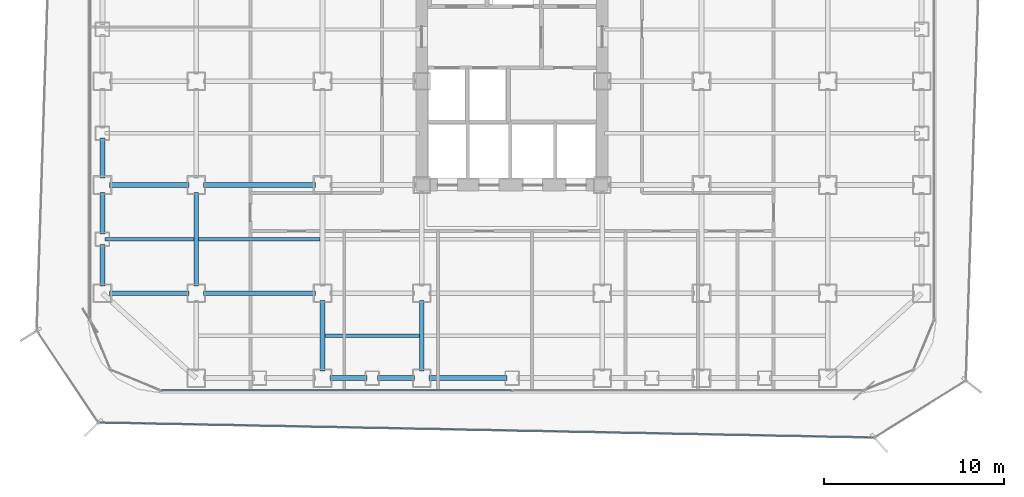
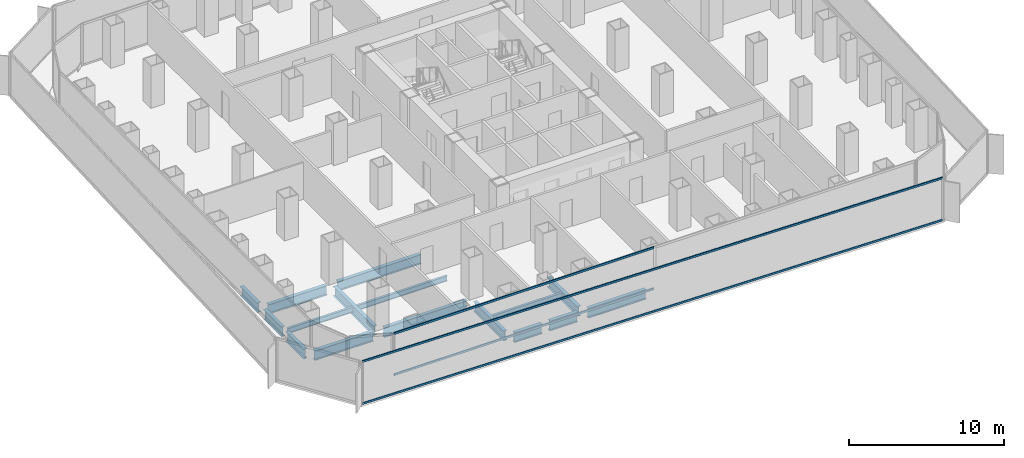
# One storey, part 3 of 22: 16 beams, 4 members, 2 elements without a shape of their own.
"""IFC4 building model written with IfcOpenShell, lengths in metres."""

from ifc_helpers import new_model, si_unit, direction, frame, origin, origin_2d, place, context, subcontext, project, spatial, hollow_rectangle, i_section, extrude, source, transform, mapped, material, layer, layer_set, material_profile, profile_set, type_object, element, aggregate, save


model = new_model("IFC4")

# Units and contexts
model_context = context("Model", 3, precision=1e-05, world=origin(), true_north=direction((0.0, 1.0)))
body_context = subcontext(model_context, "Body", "Model", "MODEL_VIEW")
ifc_project = project(units=[si_unit("LENGTHUNIT", "METRE"), si_unit("AREAUNIT", "SQUARE_METRE"), si_unit("VOLUMEUNIT", "CUBIC_METRE"), si_unit("PLANEANGLEUNIT", "RADIAN"), si_unit("MASSUNIT", "GRAM", prefix="KILO")], contexts=[model_context])

# Site, building, storey
site_placement = place(None, origin())
site = spatial("IfcSite", under=ifc_project, at=site_placement, CompositionType="ELEMENT")
building_placement = place(site_placement, origin())
building = spatial("IfcBuilding", under=site, at=building_placement, Name="Kolveth Station Tower", CompositionType="ELEMENT")
storey_placement = place(building_placement, frame((0.0, 0.0, 51.300048828125)))
storey = spatial("IfcBuildingStorey", under=building, at=storey_placement, Name="L13", CompositionType="ELEMENT", Elevation=51.300048828125)

# Beams
ifc_material_1 = material(Name="Steel S355", Category="steel")
ifc_material_profile_1 = material_profile(ifc_material_1, i_section(OverallWidth=0.26904296875, OverallDepth=0.77490234375, WebThickness=0.01708984375, FlangeThickness=0.0283203125, at=origin_2d()), Name="W760x220")
ifc_profile_set_1 = profile_set([ifc_material_profile_1], Name="Steel S355")
beam_type_1 = type_object("IfcBeamType", Name="Beam_SP1", PredefinedType="SPANDREL", material=ifc_profile_set_1)
shared_shape_1 = source(origin(), body_context, "Body", "SweptSolid", [
    extrude(i_section(OverallWidth=0.26904296875, OverallDepth=0.77490234375, WebThickness=0.01708984375, FlangeThickness=0.0283203125, at=origin_2d()), origin(), (0.0, 0.0, 1.0), 2.070068359375),
])
for number, where, z_axis, x_axis, name in (
    (1, (13.39990234375, 0.800048828125, -0.66748046875), (1.0, 0.0, 0.0), (0.0, 1.0, 0.0), "L13 Perimeter Spandrel BM-L13-PS-3"),
    (2, (16.030029296875, 0.800048828125, -0.66748046875), (1.0, 0.0, 0.0), (0.0, 1.0, 0.0), "L13 Perimeter Spandrel BM-L13-PS-4"),
):
    element("IfcBeam", number, at=place(storey_placement, frame(where, z_axis=z_axis, x_axis=x_axis)), inside=storey, type_object=beam_type_1, Name=name, PredefinedType="SPANDREL", context=body_context, shape_type="MappedRepresentation", body=[
        mapped(shared_shape_1, transform((0.0, 0.0, 0.0), x_axis=(1.0, 0.0, 0.0), y_axis=(0.0, 1.0, 0.0), z_axis=(0.0, 0.0, 1.0), scale=1.0)),
    ])
shared_shape_2 = source(origin(), body_context, "Body", "SweptSolid", [
    extrude(i_section(OverallWidth=0.26904296875, OverallDepth=0.77490234375, WebThickness=0.01708984375, FlangeThickness=0.0283203125, at=origin_2d()), origin(), (0.0, 0.0, 1.0), 4.320068359375),
])
beam_1_placement = place(storey_placement, frame((18.89990234375, 0.800048828125, -0.66748046875), z_axis=(1.0, 0.0, 0.0), x_axis=(0.0, 1.0, 0.0)))
element("IfcBeam", 3, at=beam_1_placement, inside=storey, type_object=beam_type_1, Name="L13 Perimeter Spandrel BM-L13-PS-5", PredefinedType="SPANDREL", context=body_context, shape_type="MappedRepresentation", body=[
    mapped(shared_shape_2, transform((0.0, 0.0, 0.0), x_axis=(1.0, 0.0, 0.0), y_axis=(0.0, 1.0, 0.0), z_axis=(0.0, 0.0, 1.0), scale=1.0)),
])
shared_shape_3 = source(origin(), body_context, "Body", "SweptSolid", [
    extrude(i_section(OverallWidth=0.26904296875, OverallDepth=0.77490234375, WebThickness=0.01708984375, FlangeThickness=0.0283203125, at=origin_2d()), origin(), (0.0, 0.0, 1.0), 2.320068359375),
])
for number, where, z_axis, x_axis, name in (
    (4, (0.800048828125, 5.89990234375, -0.66748046875), (0.0, 1.0, 0.0), (-1.0, 0.0, 0.0), "L13 Perimeter Spandrel BM-L13-PW-1"),
    (5, (0.800048828125, 8.780029296875, -0.66748046875), (0.0, 1.0, 0.0), (-1.0, 0.0, 0.0), "L13 Perimeter Spandrel BM-L13-PW-2"),
):
    element("IfcBeam", number, at=place(storey_placement, frame(where, z_axis=z_axis, x_axis=x_axis)), inside=storey, type_object=beam_type_1, Name=name, PredefinedType="SPANDREL", context=body_context, shape_type="MappedRepresentation", body=[
        mapped(shared_shape_3, transform((0.0, 0.0, 0.0), x_axis=(1.0, 0.0, 0.0), y_axis=(0.0, 1.0, 0.0), z_axis=(0.0, 0.0, 1.0), scale=1.0)),
    ])
shared_shape_4 = source(origin(), body_context, "Body", "SweptSolid", [
    extrude(i_section(OverallWidth=0.26904296875, OverallDepth=0.77490234375, WebThickness=0.01708984375, FlangeThickness=0.0283203125, at=origin_2d()), origin(), (0.0, 0.0, 1.0), 2.2001953125),
])
beam_2_placement = place(storey_placement, frame((0.800048828125, 11.89990234375, -0.66748046875), z_axis=(0.0, 1.0, 0.0), x_axis=(-1.0, 0.0, 0.0)))
element("IfcBeam", 6, at=beam_2_placement, inside=storey, type_object=beam_type_1, Name="L13 Perimeter Spandrel BM-L13-PW-3", PredefinedType="SPANDREL", context=body_context, shape_type="MappedRepresentation", body=[
    mapped(shared_shape_4, transform((0.0, 0.0, 0.0), x_axis=(1.0, 0.0, 0.0), y_axis=(0.0, 1.0, 0.0), z_axis=(0.0, 0.0, 1.0), scale=1.0)),
])
ifc_material_profile_2 = material_profile(ifc_material_1, i_section(OverallWidth=0.26708984375, OverallDepth=0.76611328125, WebThickness=0.014892578125, FlangeThickness=0.023681640625, at=origin_2d()), Name="W760x185")
ifc_profile_set_2 = profile_set([ifc_material_profile_2], Name="Steel S355")
beam_type_2 = type_object("IfcBeamType", Name="Beam_B3", PredefinedType="BEAM", material=ifc_profile_set_2)
shared_shape_5 = source(origin(), body_context, "Body", "SweptSolid", [
    extrude(i_section(OverallWidth=0.26708984375, OverallDepth=0.76611328125, WebThickness=0.014892578125, FlangeThickness=0.023681640625, at=origin_2d()), origin(), (0.0, 0.0, 1.0), 4.400146484375),
])
for number, where, z_axis, x_axis, name in (
    (7, (1.199951171875, 5.5, -0.6630859375), (1.0, 0.0, 0.0), (0.0, 1.0, 0.0), "L13 Primary Girder BM-L13-GY55-1"),
    (8, (1.199951171875, 11.5, -0.6630859375), (1.0, 0.0, 0.0), (0.0, 1.0, 0.0), "L13 Primary Girder BM-L13-GY115-1"),
):
    element("IfcBeam", number, at=place(storey_placement, frame(where, z_axis=z_axis, x_axis=x_axis)), inside=storey, type_object=beam_type_2, Name=name, PredefinedType="BEAM", context=body_context, shape_type="MappedRepresentation", body=[
        mapped(shared_shape_5, transform((0.0, 0.0, 0.0), x_axis=(1.0, 0.0, 0.0), y_axis=(0.0, 1.0, 0.0), z_axis=(0.0, 0.0, 1.0), scale=1.0)),
    ])
shared_shape_6 = source(origin(), body_context, "Body", "SweptSolid", [
    extrude(i_section(OverallWidth=0.26708984375, OverallDepth=0.76611328125, WebThickness=0.014892578125, FlangeThickness=0.023681640625, at=origin_2d()), origin(), (0.0, 0.0, 1.0), 6.2001953125),
])
for number, where, z_axis, x_axis, name in (
    (9, (6.39990234375, 5.5, -0.6630859375), (1.0, 0.0, 0.0), (0.0, 1.0, 0.0), "L13 Primary Girder BM-L13-GY55-2"),
    (10, (6.39990234375, 11.5, -0.6630859375), (1.0, 0.0, 0.0), (0.0, 1.0, 0.0), "L13 Primary Girder BM-L13-GY115-2"),
):
    element("IfcBeam", number, at=place(storey_placement, frame(where, z_axis=z_axis, x_axis=x_axis)), inside=storey, type_object=beam_type_2, Name=name, PredefinedType="BEAM", context=body_context, shape_type="MappedRepresentation", body=[
        mapped(shared_shape_6, transform((0.0, 0.0, 0.0), x_axis=(1.0, 0.0, 0.0), y_axis=(0.0, 1.0, 0.0), z_axis=(0.0, 0.0, 1.0), scale=1.0)),
    ])
shared_shape_7 = source(origin(), body_context, "Body", "SweptSolid", [
    extrude(i_section(OverallWidth=0.26708984375, OverallDepth=0.76611328125, WebThickness=0.014892578125, FlangeThickness=0.023681640625, at=origin_2d()), origin(), (0.0, 0.0, 1.0), 3.900146484375),
])
for number, where, z_axis, x_axis, name in (
    (11, (13.0, 1.199951171875, -0.6630859375), (0.0, 1.0, 0.0), (-1.0, 0.0, 0.0), "L13 Primary Girder BM-L13-GX130-1"),
    (12, (18.5, 1.199951171875, -0.6630859375), (0.0, 1.0, 0.0), (-1.0, 0.0, 0.0), "L13 Primary Girder BM-L13-GX185-1"),
):
    element("IfcBeam", number, at=place(storey_placement, frame(where, z_axis=z_axis, x_axis=x_axis)), inside=storey, type_object=beam_type_2, Name=name, PredefinedType="BEAM", context=body_context, shape_type="MappedRepresentation", body=[
        mapped(shared_shape_7, transform((0.0, 0.0, 0.0), x_axis=(1.0, 0.0, 0.0), y_axis=(0.0, 1.0, 0.0), z_axis=(0.0, 0.0, 1.0), scale=1.0)),
    ])
shared_shape_8 = source(origin(), body_context, "Body", "SweptSolid", [
    extrude(i_section(OverallWidth=0.26708984375, OverallDepth=0.76611328125, WebThickness=0.014892578125, FlangeThickness=0.023681640625, at=origin_2d()), origin(), (0.0, 0.0, 1.0), 5.2001953125),
])
beam_3_placement = place(storey_placement, frame((6.0, 5.89990234375, -0.6630859375), z_axis=(0.0, 1.0, 0.0), x_axis=(-1.0, 0.0, 0.0)))
element("IfcBeam", 13, at=beam_3_placement, inside=storey, type_object=beam_type_2, Name="L13 Primary Girder BM-L13-GX60-2", PredefinedType="BEAM", context=body_context, shape_type="MappedRepresentation", body=[
    mapped(shared_shape_8, transform((0.0, 0.0, 0.0), x_axis=(1.0, 0.0, 0.0), y_axis=(0.0, 1.0, 0.0), z_axis=(0.0, 0.0, 1.0), scale=1.0)),
])
ifc_material_profile_3 = material_profile(ifc_material_1, i_section(OverallWidth=0.177978515625, OverallDepth=0.406982421875, WebThickness=0.0078125, FlangeThickness=0.0126953125, at=origin_2d()), Name="W410x60")
ifc_profile_set_3 = profile_set([ifc_material_profile_3], Name="Steel S355")
beam_type_3 = type_object("IfcBeamType", Name="Beam_J1", PredefinedType="JOIST", material=ifc_profile_set_3)
shared_shape_9 = source(origin(), body_context, "Body", "SweptSolid", [
    extrude(i_section(OverallWidth=0.177978515625, OverallDepth=0.406982421875, WebThickness=0.0078125, FlangeThickness=0.0126953125, at=origin_2d()), origin(), (0.0, 0.0, 1.0), 4.935791015625),
])
beam_4_placement = place(storey_placement, frame((0.9326171875, 8.5, -0.483642578125), z_axis=(1.0, 0.0, 0.0), x_axis=(0.0, 1.0, 0.0)))
element("IfcBeam", 14, at=beam_4_placement, inside=storey, type_object=beam_type_3, Name="L13 Secondary Joist JST-L13-1-2", PredefinedType="JOIST", context=body_context, shape_type="MappedRepresentation", body=[
    mapped(shared_shape_9, transform((0.0, 0.0, 0.0), x_axis=(1.0, 0.0, 0.0), y_axis=(0.0, 1.0, 0.0), z_axis=(0.0, 0.0, 1.0), scale=1.0)),
])
shared_shape_10 = source(origin(), body_context, "Body", "SweptSolid", [
    extrude(i_section(OverallWidth=0.177978515625, OverallDepth=0.406982421875, WebThickness=0.0078125, FlangeThickness=0.0126953125, at=origin_2d()), origin(), (0.0, 0.0, 1.0), 6.73681640625),
])
beam_5_placement = place(storey_placement, frame((6.131591796875, 8.5, -0.483642578125), z_axis=(1.0, 0.0, 0.0), x_axis=(0.0, 1.0, 0.0)))
element("IfcBeam", 15, at=beam_5_placement, inside=storey, type_object=beam_type_3, Name="L13 Secondary Joist JST-L13-2-2", PredefinedType="JOIST", context=body_context, shape_type="MappedRepresentation", body=[
    mapped(shared_shape_10, transform((0.0, 0.0, 0.0), x_axis=(1.0, 0.0, 0.0), y_axis=(0.0, 1.0, 0.0), z_axis=(0.0, 0.0, 1.0), scale=1.0)),
])
shared_shape_11 = source(origin(), body_context, "Body", "SweptSolid", [
    extrude(i_section(OverallWidth=0.177978515625, OverallDepth=0.406982421875, WebThickness=0.0078125, FlangeThickness=0.0126953125, at=origin_2d()), origin(), (0.0, 0.0, 1.0), 5.23681640625),
])
beam_6_placement = place(storey_placement, frame((13.131591796875, 3.14990234375, -0.483642578125), z_axis=(1.0, 0.0, 0.0), x_axis=(0.0, 1.0, 0.0)))
element("IfcBeam", 16, at=beam_6_placement, inside=storey, type_object=beam_type_3, Name="L13 Secondary Joist JST-L13-3-1", PredefinedType="JOIST", context=body_context, shape_type="MappedRepresentation", body=[
    mapped(shared_shape_11, transform((0.0, 0.0, 0.0), x_axis=(1.0, 0.0, 0.0), y_axis=(0.0, 1.0, 0.0), z_axis=(0.0, 0.0, 1.0), scale=1.0)),
])

# Curtain wall, members
ifc_material_2 = material(Name="Aluminium 6063-T6 and low-E dark glass", Category="aluminium")
ifc_layer_1 = layer(ifc_material_2, 0.179931640625)
ifc_layer_set_1 = layer_set([ifc_layer_1], Name="Aluminium 6063-T6 and low-E dark glass")
curtain_wall_type_1 = type_object("IfcCurtainWallType", Name="CurtainWall_CW-Z1", PredefinedType="NOTDEFINED", material=ifc_layer_set_1)
curtain_wall_1_placement = place(storey_placement, origin())
curtain_wall_1 = element("IfcCurtainWall", 17, at=curtain_wall_1_placement, inside=storey, type_object=curtain_wall_type_1, Name="L13 Inner Thermal Curtain Wall 12", PredefinedType="NOTDEFINED")
ifc_material_3 = material(Name="Black anodized aluminium 6063-T6", Category="aluminium")
ifc_material_profile_4 = material_profile(ifc_material_3, hollow_rectangle(XDim=0.074951171875, YDim=0.159912109375, WallThickness=0.0048828125, at=origin_2d()), Name="ALU-75x160x5")
ifc_profile_set_4 = profile_set([ifc_material_profile_4], Name="Black anodized aluminium 6063-T6")
member_type_1 = type_object("IfcMemberType", Name="Transom_TR1", PredefinedType="USERDEFINED", material=ifc_profile_set_4)
shared_shape_12 = source(origin(), body_context, "Body", "SweptSolid", [
    extrude(hollow_rectangle(XDim=0.074951171875, YDim=0.159912109375, WallThickness=0.0048828125, at=origin_2d()), origin(), (0.0, 0.0, 1.0), 19.387451171875),
])
member_1_placement = place(storey_placement, frame((4.074951171875, 0.1201171875, 0.037353515625), z_axis=(1.0, 0.0, 0.0), x_axis=(0.0, 1.0, 0.0)))
member_1 = element("IfcMember", 18, at=member_1_placement, type_object=member_type_1, Name="CW-Z1 transom 1.1", ObjectType="TRANSOM", PredefinedType="USERDEFINED", context=body_context, shape_type="MappedRepresentation", body=[
    mapped(shared_shape_12, transform((0.0, 0.0, 0.0), x_axis=(1.0, 0.0, 0.0), y_axis=(0.0, 1.0, 0.0), z_axis=(0.0, 0.0, 1.0), scale=1.0)),
])
member_2_placement = place(storey_placement, frame((4.074951171875, 0.1201171875, 3.282470703125), z_axis=(1.0, 0.0, 0.0), x_axis=(0.0, 1.0, 0.0)))
member_2 = element("IfcMember", 19, at=member_2_placement, type_object=member_type_1, Name="CW-Z1 transom 1.2", ObjectType="TRANSOM", PredefinedType="USERDEFINED", context=body_context, shape_type="MappedRepresentation", body=[
    mapped(shared_shape_12, transform((0.0, 0.0, 0.0), x_axis=(1.0, 0.0, 0.0), y_axis=(0.0, 1.0, 0.0), z_axis=(0.0, 0.0, 1.0), scale=1.0)),
])
aggregate(curtain_wall_1, [member_1, member_2])

ifc_material_4 = material(Name="Black anodized aluminium 6063-T6 and dark solar glass", Category="aluminium")
ifc_layer_2 = layer(ifc_material_4, 0.159912109375)
ifc_layer_set_2 = layer_set([ifc_layer_2], Name="Black anodized aluminium 6063-T6 and dark solar glass")
curtain_wall_type_2 = type_object("IfcCurtainWallType", Name="OUTER SKIN CW-OS", PredefinedType="NOTDEFINED", material=ifc_layer_set_2)
curtain_wall_2_placement = place(storey_placement, origin())
curtain_wall_2 = element("IfcCurtainWall", 20, at=curtain_wall_2_placement, inside=storey, type_object=curtain_wall_type_2, Name="L13 Outer Ventilated Skin Curtain Wall 8", PredefinedType="NOTDEFINED")
ifc_material_profile_5 = material_profile(ifc_material_3, hollow_rectangle(XDim=0.080078125, YDim=0.14990234375, WallThickness=0.0048828125, at=origin_2d()), Name="ALU-80x150x5")
ifc_profile_set_5 = profile_set([ifc_material_profile_5], Name="Black anodized aluminium 6063-T6")
member_type_2 = type_object("IfcMemberType", Name="Transom_TR-OS", PredefinedType="USERDEFINED", material=ifc_profile_set_5)
shared_shape_13 = source(origin(), body_context, "Body", "SweptSolid", [
    extrude(hollow_rectangle(XDim=0.080078125, YDim=0.14990234375, WallThickness=0.0048828125, at=origin_2d()), origin(), (0.0, 0.0, 1.0), 42.827392578125),
])
member_3_placement = place(storey_placement, frame((0.673095703125, -1.66748046875, 0.0400390625), z_axis=(0.999812152378, -0.019381949267, 0.0), x_axis=(0.019381949267, 0.999812152378, 0.0)))
member_3 = element("IfcMember", 21, at=member_3_placement, type_object=member_type_2, Name="CW-OS transom 1.1", ObjectType="TRANSOM", PredefinedType="USERDEFINED", context=body_context, shape_type="MappedRepresentation", body=[
    mapped(shared_shape_13, transform((0.0, 0.0, 0.0), x_axis=(1.0, 0.0, 0.0), y_axis=(0.0, 1.0, 0.0), z_axis=(0.0, 0.0, 1.0), scale=1.0)),
])
member_4_placement = place(storey_placement, frame((0.673095703125, -1.66748046875, 3.349853515625), z_axis=(0.999812152378, -0.019381949267, 0.0), x_axis=(0.019381949267, 0.999812152378, 0.0)))
member_4 = element("IfcMember", 22, at=member_4_placement, type_object=member_type_2, Name="CW-OS transom 1.2", ObjectType="TRANSOM", PredefinedType="USERDEFINED", context=body_context, shape_type="MappedRepresentation", body=[
    mapped(shared_shape_13, transform((0.0, 0.0, 0.0), x_axis=(1.0, 0.0, 0.0), y_axis=(0.0, 1.0, 0.0), z_axis=(0.0, 0.0, 1.0), scale=1.0)),
])
aggregate(curtain_wall_2, [member_3, member_4])

save(model, "model.ifc")
